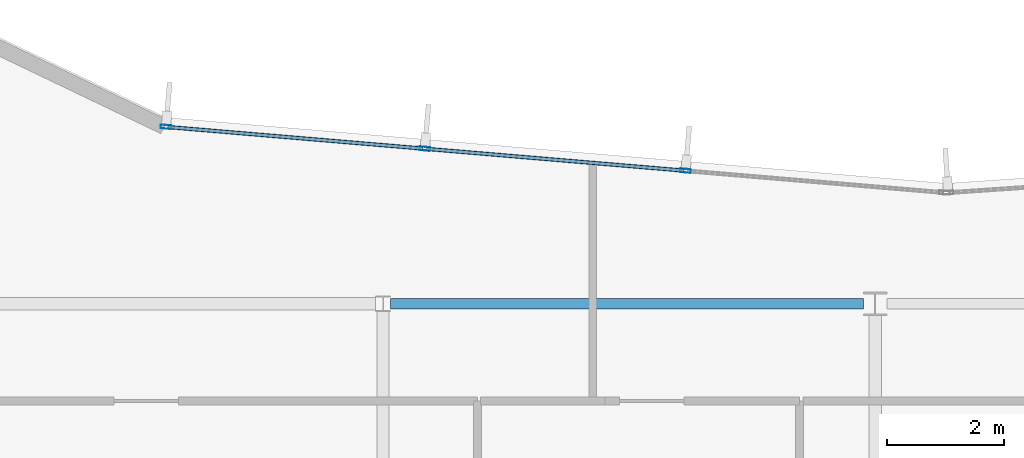
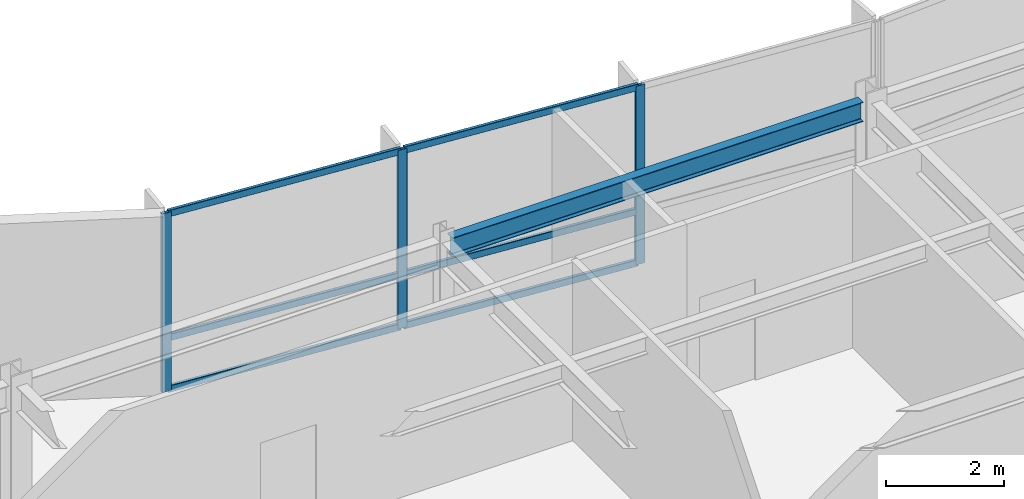
# One storey, part 5 of 14: 9 members, 1 beam, 1 element without a shape of its own.
"""IFC4 building model written with IfcOpenShell, lengths in metres."""

from ifc_helpers import new_model, si_unit, direction, frame, origin, origin_2d, place, context, subcontext, project, spatial, hollow_rectangle, i_section, extrude, material, layer, layer_set, material_profile, profile_set, type_object, element, aggregate, save


model = new_model("IFC4")

# Units and contexts
model_context = context("Model", 3, precision=1e-05, world=origin(), true_north=direction((0.0, 1.0)))
body_context = subcontext(model_context, "Body", "Model", "MODEL_VIEW")
ifc_project = project(units=[si_unit("LENGTHUNIT", "METRE"), si_unit("AREAUNIT", "SQUARE_METRE"), si_unit("VOLUMEUNIT", "CUBIC_METRE"), si_unit("PLANEANGLEUNIT", "RADIAN"), si_unit("MASSUNIT", "GRAM", prefix="KILO")], contexts=[model_context])

# Site, building, storey
site_placement = place(None, origin())
site = spatial("IfcSite", under=ifc_project, at=site_placement, CompositionType="ELEMENT")
building_placement = place(site_placement, origin())
building = spatial("IfcBuilding", under=site, at=building_placement, Name="Varnakote Quay Hospital", CompositionType="ELEMENT")
storey_placement = place(building_placement, frame((0.0, 0.0, 211.85009765625)))
storey = spatial("IfcBuildingStorey", under=building, at=storey_placement, Name="L52", CompositionType="ELEMENT", Elevation=211.85009765625)

# Curtain wall, members
ifc_material_1 = material(Name="Anodised aluminium 6063-T6 Bronze", Category="aluminium")
ifc_layer = layer(ifc_material_1, 0.219970703125)
ifc_layer_set = layer_set([ifc_layer], Name="Anodised aluminium 6063-T6 Bronze")
curtain_wall_type = type_object("IfcCurtainWallType", Name="CW-SYS-4", PredefinedType="NOTDEFINED", material=ifc_layer_set)
curtain_wall_placement = place(storey_placement, origin())
curtain_wall = element("IfcCurtainWall", 1, at=curtain_wall_placement, inside=storey, type_object=curtain_wall_type, Name="L52 Unitised Bronze Curtain Wall 2", PredefinedType="NOTDEFINED")
ifc_material_2 = material(Name="Anodised aluminium 6063-T6 Bronze", Category="aluminium")
ifc_material_profile_1 = material_profile(ifc_material_2, hollow_rectangle(XDim=0.06494140625, YDim=0.179931640625, WallThickness=0.00390625, InnerFilletRadius=0.00390625, OuterFilletRadius=0.008056640625, at=origin_2d()), Name="CW-MULL-180x65")
ifc_profile_set_1 = profile_set([ifc_material_profile_1], Name="Anodised aluminium 6063-T6 Bronze")
member_type_1 = type_object("IfcMemberType", Name="CW-MULL-180x65", PredefinedType="MULLION", material=ifc_profile_set_1)
member_1_placement = place(storey_placement, frame((30.363525390625, 31.0712890625, 0.0), z_axis=(0.0, 0.0, 1.0), x_axis=(-0.084136040089, -0.996454277304, 0.0)))
member_1 = element("IfcMember", 2, at=member_1_placement, type_object=member_type_1, Name="-4-L52-2 mullion 2", PredefinedType="MULLION", context=body_context, shape_type="SweptSolid", body=[
    extrude(hollow_rectangle(XDim=0.06494140625, YDim=0.179931640625, WallThickness=0.00390625, InnerFilletRadius=0.00390625, OuterFilletRadius=0.008056640625, at=origin_2d()), origin(), (0.0, 0.0, 1.0), 3.7099609375),
])
member_2_placement = place(storey_placement, frame((25.912353515625, 31.447265625, 0.0), z_axis=(0.0, 0.0, 1.0), x_axis=(-0.084136040089, -0.996454277304, 0.0)))
member_2 = element("IfcMember", 3, at=member_2_placement, type_object=member_type_1, Name="-4-L52-2 mullion 3", PredefinedType="MULLION", context=body_context, shape_type="SweptSolid", body=[
    extrude(hollow_rectangle(XDim=0.06494140625, YDim=0.179931640625, WallThickness=0.00390625, InnerFilletRadius=0.00390625, OuterFilletRadius=0.008056640625, at=origin_2d()), origin(), (0.0, 0.0, 1.0), 3.7099609375),
])
member_3_placement = place(storey_placement, frame((21.49365234375, 31.8203125, 0.0), z_axis=(0.0, 0.0, 1.0), x_axis=(-0.084136040089, -0.996454277304, 0.0)))
member_3 = element("IfcMember", 4, at=member_3_placement, type_object=member_type_1, Name="-4-L52-2 mullion 4", PredefinedType="MULLION", context=body_context, shape_type="SweptSolid", body=[
    extrude(hollow_rectangle(XDim=0.06494140625, YDim=0.179931640625, WallThickness=0.00390625, InnerFilletRadius=0.00390625, OuterFilletRadius=0.008056640625, at=origin_2d()), origin(), (0.0, 0.0, 1.0), 3.7099609375),
])
ifc_material_3 = material(Name="Anodised aluminium 6063-T6 Bronze", Category="aluminium")
ifc_material_profile_2 = material_profile(ifc_material_3, hollow_rectangle(XDim=0.06494140625, YDim=0.139892578125, WallThickness=0.00390625, InnerFilletRadius=0.00390625, OuterFilletRadius=0.007568359375, at=origin_2d()), Name="CW-TRAN-140x65")
ifc_profile_set_2 = profile_set([ifc_material_profile_2], Name="Anodised aluminium 6063-T6 Bronze")
member_type_2 = type_object("IfcMemberType", Name="CW-TRAN-140x65", PredefinedType="USERDEFINED", material=ifc_profile_set_2)
member_4_placement = place(storey_placement, frame((30.331298828125, 31.073974609375, 0.032470703125), z_axis=(-0.996454515714, 0.084133216471, 0.0), x_axis=(-0.084133216471, -0.996454515714, 0.0)))
member_4 = element("IfcMember", 5, at=member_4_placement, type_object=member_type_2, Name="-4-L52-2 transom 2.1", ObjectType="TRANSOM", PredefinedType="USERDEFINED", context=body_context, shape_type="SweptSolid", body=[
    extrude(hollow_rectangle(XDim=0.06494140625, YDim=0.139892578125, WallThickness=0.00390625, InnerFilletRadius=0.00390625, OuterFilletRadius=0.007568359375, at=origin_2d()), origin(), (0.0, 0.0, 1.0), 4.402099609375),
])
member_5_placement = place(storey_placement, frame((30.331298828125, 31.073974609375, 1.099853515625), z_axis=(-0.996454515714, 0.084133216471, 0.0), x_axis=(-0.084133216471, -0.996454515714, 0.0)))
member_5 = element("IfcMember", 6, at=member_5_placement, type_object=member_type_2, Name="-4-L52-2 transom 2.2", ObjectType="TRANSOM", PredefinedType="USERDEFINED", context=body_context, shape_type="SweptSolid", body=[
    extrude(hollow_rectangle(XDim=0.06494140625, YDim=0.139892578125, WallThickness=0.00390625, InnerFilletRadius=0.00390625, OuterFilletRadius=0.007568359375, at=origin_2d()), origin(), (0.0, 0.0, 1.0), 4.402099609375),
])
member_6_placement = place(storey_placement, frame((30.331298828125, 31.073974609375, 3.677490234375), z_axis=(-0.996454515714, 0.084133216471, 0.0), x_axis=(-0.084133216471, -0.996454515714, 0.0)))
member_6 = element("IfcMember", 7, at=member_6_placement, type_object=member_type_2, Name="-4-L52-2 transom 2.3", ObjectType="TRANSOM", PredefinedType="USERDEFINED", context=body_context, shape_type="SweptSolid", body=[
    extrude(hollow_rectangle(XDim=0.06494140625, YDim=0.139892578125, WallThickness=0.00390625, InnerFilletRadius=0.00390625, OuterFilletRadius=0.007568359375, at=origin_2d()), origin(), (0.0, 0.0, 1.0), 4.402099609375),
])
member_7_placement = place(storey_placement, frame((25.880126953125, 31.449951171875, 0.032470703125), z_axis=(-0.996453440464, 0.084145950507, 0.0), x_axis=(-0.084145950507, -0.996453440464, 0.0)))
member_7 = element("IfcMember", 8, at=member_7_placement, type_object=member_type_2, Name="-4-L52-2 transom 3.1", ObjectType="TRANSOM", PredefinedType="USERDEFINED", context=body_context, shape_type="SweptSolid", body=[
    extrude(hollow_rectangle(XDim=0.06494140625, YDim=0.139892578125, WallThickness=0.00390625, InnerFilletRadius=0.00390625, OuterFilletRadius=0.007568359375, at=origin_2d()), origin(), (0.0, 0.0, 1.0), 4.369384765625),
])
member_8_placement = place(storey_placement, frame((25.880126953125, 31.449951171875, 1.099853515625), z_axis=(-0.996453440464, 0.084145950507, 0.0), x_axis=(-0.084145950507, -0.996453440464, 0.0)))
member_8 = element("IfcMember", 9, at=member_8_placement, type_object=member_type_2, Name="-4-L52-2 transom 3.2", ObjectType="TRANSOM", PredefinedType="USERDEFINED", context=body_context, shape_type="SweptSolid", body=[
    extrude(hollow_rectangle(XDim=0.06494140625, YDim=0.139892578125, WallThickness=0.00390625, InnerFilletRadius=0.00390625, OuterFilletRadius=0.007568359375, at=origin_2d()), origin(), (0.0, 0.0, 1.0), 4.369384765625),
])
member_9_placement = place(storey_placement, frame((25.880126953125, 31.449951171875, 3.677490234375), z_axis=(-0.996453440464, 0.084145950507, 0.0), x_axis=(-0.084145950507, -0.996453440464, 0.0)))
member_9 = element("IfcMember", 10, at=member_9_placement, type_object=member_type_2, Name="-4-L52-2 transom 3.3", ObjectType="TRANSOM", PredefinedType="USERDEFINED", context=body_context, shape_type="SweptSolid", body=[
    extrude(hollow_rectangle(XDim=0.06494140625, YDim=0.139892578125, WallThickness=0.00390625, InnerFilletRadius=0.00390625, OuterFilletRadius=0.007568359375, at=origin_2d()), origin(), (0.0, 0.0, 1.0), 4.369384765625),
])
aggregate(curtain_wall, [member_1, member_2, member_3, member_4, member_5, member_6, member_7, member_8, member_9])

# Beam
ifc_material_4 = material(Name="Structural steel AS/NZS 3679.1 Grade 350 L0 (fy 340 MPa)", Category="steel")
ifc_material_profile_3 = material_profile(ifc_material_4, i_section(OverallWidth=0.177978515625, OverallDepth=0.406005859375, WebThickness=0.0078125, FlangeThickness=0.0126953125, FilletRadius=0.011474609375, at=origin_2d()), Name="410UB59.7")
ifc_profile_set_3 = profile_set([ifc_material_profile_3], Name="Structural steel AS/NZS 3679.1 Grade 350 L0 (fy 340 MPa)")
beam_type = type_object("IfcBeamType", Name="SPN-STL-410UB59-7", PredefinedType="SPANDREL", material=ifc_profile_set_3)
beam_placement = place(storey_placement, frame((25.327880859375, 28.800048828125, 3.5068359375), z_axis=(1.0, 0.0, 0.0), x_axis=(0.0, 1.0, 0.0)))
element("IfcBeam", 11, at=beam_placement, inside=storey, type_object=beam_type, Name="L52 Perimeter Spandrel Beam", PredefinedType="SPANDREL", context=body_context, shape_type="SweptSolid", body=[
    extrude(i_section(OverallWidth=0.177978515625, OverallDepth=0.406005859375, WebThickness=0.0078125, FlangeThickness=0.0126953125, FilletRadius=0.011474609375, at=origin_2d()), origin(), (0.0, 0.0, 1.0), 8.072021484375),
])

save(model, "model.ifc")
